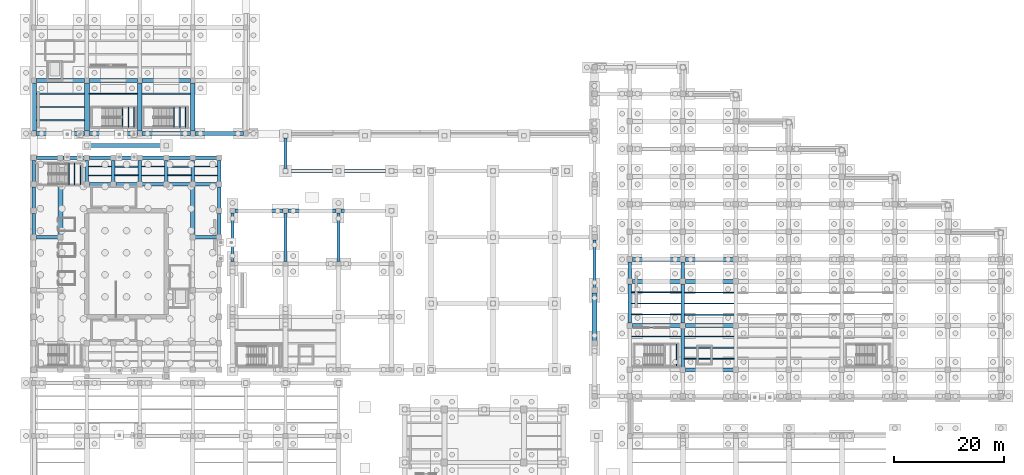
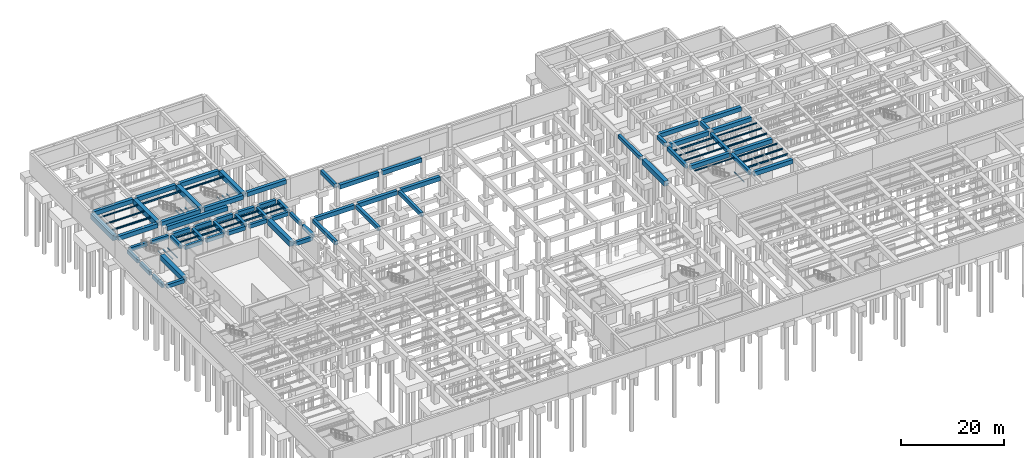
# One storey, part 27 of 56: 97 beams.
"""IFC4 building model written with IfcOpenShell, lengths in metres."""

from ifc_helpers import new_model, si_unit, direction, frame, origin, origin_2d, place, context, subcontext, project, spatial, rectangle, i_section, extrude, material, material_profile, profile_set, type_object, element, save


model = new_model("IFC4")

# Units and contexts
model_context = context("Model", 3, precision=1e-05, world=origin(), true_north=direction((0.0, 1.0)))
body_context = subcontext(model_context, "Body", "Model", "MODEL_VIEW")
ifc_project = project(units=[si_unit("LENGTHUNIT", "METRE"), si_unit("AREAUNIT", "SQUARE_METRE"), si_unit("VOLUMEUNIT", "CUBIC_METRE"), si_unit("PLANEANGLEUNIT", "RADIAN"), si_unit("MASSUNIT", "GRAM", prefix="KILO")], contexts=[model_context])

# Site, building, storey
site_placement = place(None, origin())
site = spatial("IfcSite", under=ifc_project, at=site_placement, CompositionType="ELEMENT")
building_placement = place(site_placement, origin())
building = spatial("IfcBuilding", under=site, at=building_placement, Name="Mavantir Sound Aquarium", CompositionType="ELEMENT")
storey_placement = place(building_placement, frame((0.0, 0.0, -9.60009765625)))
storey = spatial("IfcBuildingStorey", under=building, at=storey_placement, Name="B2", CompositionType="ELEMENT", Elevation=-9.60009765625)

# Beams
ifc_material_1 = material(Name="Concrete C40/50", Category="concrete")
ifc_material_profile_1 = material_profile(ifc_material_1, rectangle(XDim=0.60009765625, YDim=0.89990234375, at=origin_2d()), Name="RC 600X900")
ifc_profile_set_1 = profile_set([ifc_material_profile_1], Name="Concrete C40/50")
beam_type_1 = type_object("IfcBeamType", Name="BM-RC600X900-E", PredefinedType="BEAM", material=ifc_profile_set_1)
beam_1_placement = place(storey_placement, frame((0.449951171875, 79.199951171875, 3.946044921875), z_axis=(1.0, 0.0, 0.0), x_axis=(0.0, 1.0, 0.0)))
element("IfcBeam", 1, at=beam_1_placement, inside=storey, type_object=beam_type_1, Name="B2 primary beam RCB-09 63", PredefinedType="BEAM", context=body_context, shape_type="SweptSolid", body=[
    extrude(rectangle(XDim=0.60009765625, YDim=0.89990234375, at=origin_2d()), origin(), (0.0, 0.0, 1.0), 3.900146484375),
])
for number, where, z_axis, x_axis, name in (
    (2, (5.25, 79.199951171875, 3.946044921875), (1.0, 0.0, 0.0), (0.0, 1.0, 0.0), "B2 primary beam RCB-09 64"),
    (3, (10.050048828125, 79.199951171875, 3.946044921875), (1.0, 0.0, 0.0), (0.0, 1.0, 0.0), "B2 primary beam RCB-09 65"),
    (4, (14.85009765625, 79.199951171875, 3.946044921875), (1.0, 0.0, 0.0), (0.0, 1.0, 0.0), "B2 primary beam RCB-09 66"),
):
    element("IfcBeam", number, at=place(storey_placement, frame(where, z_axis=z_axis, x_axis=x_axis)), inside=storey, type_object=beam_type_1, Name=name, PredefinedType="BEAM", context=body_context, shape_type="SweptSolid", body=[
        extrude(rectangle(XDim=0.60009765625, YDim=0.89990234375, at=origin_2d()), origin(), (0.0, 0.0, 1.0), 3.89990234375),
    ])
for number, where, z_axis, x_axis, name in (
    (5, (19.64990234375, 79.199951171875, 3.946044921875), (1.0, 0.0, 0.0), (0.0, 1.0, 0.0), "B2 primary beam RCB-09 67"),
    (6, (24.449951171875, 79.199951171875, 3.946044921875), (1.0, 0.0, 0.0), (0.0, 1.0, 0.0), "B2 primary beam RCB-09 68"),
):
    element("IfcBeam", number, at=place(storey_placement, frame(where, z_axis=z_axis, x_axis=x_axis)), inside=storey, type_object=beam_type_1, Name=name, PredefinedType="BEAM", context=body_context, shape_type="SweptSolid", body=[
        extrude(rectangle(XDim=0.60009765625, YDim=0.89990234375, at=origin_2d()), origin(), (0.0, 0.0, 1.0), 3.900146484375),
    ])
for number, where, z_axis, x_axis, name in (
    (7, (29.25, 79.199951171875, 3.946044921875), (1.0, 0.0, 0.0), (0.0, 1.0, 0.0), "B2 primary beam RCB-09 69"),
    (8, (0.0, 65.25, 3.946044921875), (0.0, 1.0, 0.0), (-1.0, 0.0, 0.0), "B2 primary girder RCB-09 75"),
    (9, (0.0, 70.050048828125, 3.946044921875), (0.0, 1.0, 0.0), (-1.0, 0.0, 0.0), "B2 primary girder RCB-09 76"),
    (10, (0.0, 74.85009765625, 3.946044921875), (0.0, 1.0, 0.0), (-1.0, 0.0, 0.0), "B2 primary girder RCB-09 77"),
    (11, (33.60009765625, 65.25, 3.946044921875), (0.0, 1.0, 0.0), (-1.0, 0.0, 0.0), "B2 primary girder RCB-09 99"),
    (12, (33.60009765625, 70.050048828125, 3.946044921875), (0.0, 1.0, 0.0), (-1.0, 0.0, 0.0), "B2 primary girder RCB-09 100"),
    (13, (33.60009765625, 74.85009765625, 3.946044921875), (0.0, 1.0, 0.0), (-1.0, 0.0, 0.0), "B2 primary girder RCB-09 101"),
):
    element("IfcBeam", number, at=place(storey_placement, frame(where, z_axis=z_axis, x_axis=x_axis)), inside=storey, type_object=beam_type_1, Name=name, PredefinedType="BEAM", context=body_context, shape_type="SweptSolid", body=[
        extrude(rectangle(XDim=0.60009765625, YDim=0.89990234375, at=origin_2d()), origin(), (0.0, 0.0, 1.0), 3.89990234375),
    ])
beam_2_placement = place(storey_placement, frame((36.0, 60.425048828125, 4.34619140625), z_axis=(0.0, 1.0, 0.0), x_axis=(-1.0, 0.0, 0.0)))
element("IfcBeam", 14, at=beam_2_placement, inside=storey, type_object=beam_type_1, Name="B2 primary girder RCB-09 116", PredefinedType="BEAM", context=body_context, shape_type="SweptSolid", body=[
    extrude(rectangle(XDim=0.60009765625, YDim=0.89990234375, at=origin_2d()), origin(), (0.0, 0.0, 1.0), 8.75),
])
beam_3_placement = place(storey_placement, frame((101.60009765625, 55.64990234375, 4.34619140625), z_axis=(0.0, 1.0, 0.0), x_axis=(-1.0, 0.0, 0.0)))
element("IfcBeam", 15, at=beam_3_placement, inside=storey, type_object=beam_type_1, Name="B2 primary girder RCB-09 239", PredefinedType="BEAM", context=body_context, shape_type="SweptSolid", body=[
    extrude(rectangle(XDim=0.60009765625, YDim=0.89990234375, at=origin_2d()), origin(), (0.0, 0.0, 1.0), 8.7001953125),
])
ifc_material_profile_2 = material_profile(ifc_material_1, rectangle(XDim=0.60009765625, YDim=0.89990234375, at=origin_2d()), Name="RC 600X900")
ifc_profile_set_2 = profile_set([ifc_material_profile_2], Name="Concrete C40/50")
beam_type_2 = type_object("IfcBeamType", Name="BM-RC600X900-I", PredefinedType="BEAM", material=ifc_profile_set_2)
beam_4_placement = place(storey_placement, frame((45.60009765625, 77.22509765625, 4.34619140625), z_axis=(0.0, 1.0, 0.0), x_axis=(-1.0, 0.0, 0.0)))
element("IfcBeam", 16, at=beam_4_placement, inside=storey, type_object=beam_type_2, Name="B2 primary girder RCB-09 24", PredefinedType="BEAM", context=body_context, shape_type="SweptSolid", body=[
    extrude(rectangle(XDim=0.60009765625, YDim=0.89990234375, at=origin_2d()), origin(), (0.0, 0.0, 1.0), 5.5498046875),
])
beam_5_placement = place(storey_placement, frame((0.449951171875, 64.800048828125, 3.946044921875), z_axis=(1.0, 0.0, 0.0), x_axis=(0.0, 1.0, 0.0)))
element("IfcBeam", 17, at=beam_5_placement, inside=storey, type_object=beam_type_2, Name="B2 primary beam RCB-09 56", PredefinedType="BEAM", context=body_context, shape_type="SweptSolid", body=[
    extrude(rectangle(XDim=0.60009765625, YDim=0.89990234375, at=origin_2d()), origin(), (0.0, 0.0, 1.0), 3.900146484375),
])
for number, where, z_axis, x_axis, name in (
    (18, (29.25, 64.800048828125, 3.946044921875), (1.0, 0.0, 0.0), (0.0, 1.0, 0.0), "B2 primary beam RCB-09 57"),
    (19, (10.050048828125, 74.39990234375, 3.946044921875), (1.0, 0.0, 0.0), (0.0, 1.0, 0.0), "B2 primary beam RCB-09 58"),
    (20, (14.85009765625, 74.39990234375, 3.946044921875), (1.0, 0.0, 0.0), (0.0, 1.0, 0.0), "B2 primary beam RCB-09 59"),
):
    element("IfcBeam", number, at=place(storey_placement, frame(where, z_axis=z_axis, x_axis=x_axis)), inside=storey, type_object=beam_type_2, Name=name, PredefinedType="BEAM", context=body_context, shape_type="SweptSolid", body=[
        extrude(rectangle(XDim=0.60009765625, YDim=0.89990234375, at=origin_2d()), origin(), (0.0, 0.0, 1.0), 3.89990234375),
    ])
for number, where, z_axis, x_axis, name in (
    (21, (19.64990234375, 74.39990234375, 3.946044921875), (1.0, 0.0, 0.0), (0.0, 1.0, 0.0), "B2 primary beam RCB-09 60"),
    (22, (24.449951171875, 74.39990234375, 3.946044921875), (1.0, 0.0, 0.0), (0.0, 1.0, 0.0), "B2 primary beam RCB-09 61"),
):
    element("IfcBeam", number, at=place(storey_placement, frame(where, z_axis=z_axis, x_axis=x_axis)), inside=storey, type_object=beam_type_2, Name=name, PredefinedType="BEAM", context=body_context, shape_type="SweptSolid", body=[
        extrude(rectangle(XDim=0.60009765625, YDim=0.89990234375, at=origin_2d()), origin(), (0.0, 0.0, 1.0), 3.900146484375),
    ])
for number, where, z_axis, x_axis, name in (
    (23, (29.25, 74.39990234375, 3.946044921875), (1.0, 0.0, 0.0), (0.0, 1.0, 0.0), "B2 primary beam RCB-09 62"),
    (24, (9.60009765625, 74.85009765625, 3.946044921875), (0.0, 1.0, 0.0), (-1.0, 0.0, 0.0), "B2 primary girder RCB-09 82"),
    (25, (14.39990234375, 74.85009765625, 3.946044921875), (0.0, 1.0, 0.0), (-1.0, 0.0, 0.0), "B2 primary girder RCB-09 84"),
    (26, (19.199951171875, 74.85009765625, 3.946044921875), (0.0, 1.0, 0.0), (-1.0, 0.0, 0.0), "B2 primary girder RCB-09 86"),
    (27, (24.0, 74.85009765625, 3.946044921875), (0.0, 1.0, 0.0), (-1.0, 0.0, 0.0), "B2 primary girder RCB-09 88"),
    (28, (28.800048828125, 74.85009765625, 3.946044921875), (0.0, 1.0, 0.0), (-1.0, 0.0, 0.0), "B2 primary girder RCB-09 93"),
):
    element("IfcBeam", number, at=place(storey_placement, frame(where, z_axis=z_axis, x_axis=x_axis)), inside=storey, type_object=beam_type_2, Name=name, PredefinedType="BEAM", context=body_context, shape_type="SweptSolid", body=[
        extrude(rectangle(XDim=0.60009765625, YDim=0.89990234375, at=origin_2d()), origin(), (0.0, 0.0, 1.0), 3.89990234375),
    ])
for number, where, z_axis, x_axis, name in (
    (29, (45.60009765625, 60.425048828125, 4.34619140625), (0.0, 1.0, 0.0), (-1.0, 0.0, 0.0), "B2 primary girder RCB-09 119"),
    (30, (55.199951171875, 60.425048828125, 4.34619140625), (0.0, 1.0, 0.0), (-1.0, 0.0, 0.0), "B2 primary girder RCB-09 122"),
):
    element("IfcBeam", number, at=place(storey_placement, frame(where, z_axis=z_axis, x_axis=x_axis)), inside=storey, type_object=beam_type_2, Name=name, PredefinedType="BEAM", context=body_context, shape_type="SweptSolid", body=[
        extrude(rectangle(XDim=0.60009765625, YDim=0.89990234375, at=origin_2d()), origin(), (0.0, 0.0, 1.0), 8.75),
    ])
beam_6_placement = place(storey_placement, frame((108.0, 49.25, 4.046142578125), z_axis=(0.0, 1.0, 0.0), x_axis=(-1.0, 0.0, 0.0)))
element("IfcBeam", 31, at=beam_6_placement, inside=storey, type_object=beam_type_2, Name="B2 primary girder RCB-09 246", PredefinedType="BEAM", context=body_context, shape_type="SweptSolid", body=[
    extrude(rectangle(XDim=0.60009765625, YDim=0.89990234375, at=origin_2d()), origin(), (0.0, 0.0, 1.0), 7.10009765625),
])
beam_7_placement = place(storey_placement, frame((108.0, 57.25, 4.34619140625), z_axis=(0.0, 1.0, 0.0), x_axis=(-1.0, 0.0, 0.0)))
element("IfcBeam", 32, at=beam_7_placement, inside=storey, type_object=beam_type_2, Name="B2 primary girder RCB-09 247", PredefinedType="BEAM", context=body_context, shape_type="SweptSolid", body=[
    extrude(rectangle(XDim=0.60009765625, YDim=0.89990234375, at=origin_2d()), origin(), (0.0, 0.0, 1.0), 3.10009765625),
])
for number, where, z_axis, x_axis, name in (
    (33, (117.60009765625, 41.25, 4.046142578125), (0.0, 1.0, 0.0), (-1.0, 0.0, 0.0), "B2 primary girder RCB-09 256"),
    (34, (117.60009765625, 49.25, 4.046142578125), (0.0, 1.0, 0.0), (-1.0, 0.0, 0.0), "B2 primary girder RCB-09 257"),
):
    element("IfcBeam", number, at=place(storey_placement, frame(where, z_axis=z_axis, x_axis=x_axis)), inside=storey, type_object=beam_type_2, Name=name, PredefinedType="BEAM", context=body_context, shape_type="SweptSolid", body=[
        extrude(rectangle(XDim=0.60009765625, YDim=0.89990234375, at=origin_2d()), origin(), (0.0, 0.0, 1.0), 7.10009765625),
    ])
beam_8_placement = place(storey_placement, frame((117.60009765625, 57.25, 4.34619140625), z_axis=(0.0, 1.0, 0.0), x_axis=(-1.0, 0.0, 0.0)))
element("IfcBeam", 35, at=beam_8_placement, inside=storey, type_object=beam_type_2, Name="B2 primary girder RCB-09 258", PredefinedType="BEAM", context=body_context, shape_type="SweptSolid", body=[
    extrude(rectangle(XDim=0.60009765625, YDim=0.89990234375, at=origin_2d()), origin(), (0.0, 0.0, 1.0), 3.10009765625),
])
ifc_material_profile_3 = material_profile(ifc_material_1, rectangle(XDim=0.699951171875, YDim=1.0, at=origin_2d()), Name="RC 700X1000")
ifc_profile_set_3 = profile_set([ifc_material_profile_3], Name="Concrete C40/50")
beam_type_3 = type_object("IfcBeamType", Name="BM-RC700X1000-E", PredefinedType="BEAM", material=ifc_profile_set_3)
for number, where, z_axis, x_axis, name in (
    (36, (36.425048828125, 69.60009765625, 4.296142578125), (1.0, 0.0, 0.0), (0.0, 1.0, 0.0), "B2 primary beam RCB-10 111"),
    (37, (46.02490234375, 69.60009765625, 4.296142578125), (1.0, 0.0, 0.0), (0.0, 1.0, 0.0), "B2 primary beam RCB-10 112"),
    (38, (55.625, 69.60009765625, 4.296142578125), (1.0, 0.0, 0.0), (0.0, 1.0, 0.0), "B2 primary beam RCB-10 113"),
    (39, (0.425048828125, 83.60009765625, 3.99609375), (1.0, 0.0, 0.0), (0.0, 1.0, 0.0), "B2 primary beam RCB-10 311"),
    (40, (10.02490234375, 83.60009765625, 3.99609375), (1.0, 0.0, 0.0), (0.0, 1.0, 0.0), "B2 primary beam RCB-10 312"),
    (41, (19.625, 83.60009765625, 3.99609375), (1.0, 0.0, 0.0), (0.0, 1.0, 0.0), "B2 primary beam RCB-10 313"),
    (42, (29.22509765625, 83.60009765625, 4.296142578125), (1.0, 0.0, 0.0), (0.0, 1.0, 0.0), "B2 primary beam RCB-10 314"),
):
    element("IfcBeam", number, at=place(storey_placement, frame(where, z_axis=z_axis, x_axis=x_axis)), inside=storey, type_object=beam_type_3, Name=name, PredefinedType="BEAM", context=body_context, shape_type="SweptSolid", body=[
        extrude(rectangle(XDim=0.699951171875, YDim=1.0, at=origin_2d()), origin(), (0.0, 0.0, 1.0), 8.75),
    ])
ifc_material_profile_4 = material_profile(ifc_material_1, rectangle(XDim=0.699951171875, YDim=1.0, at=origin_2d()), Name="RC 700X1000")
ifc_profile_set_4 = profile_set([ifc_material_profile_4], Name="Concrete C40/50")
beam_type_4 = type_object("IfcBeamType", Name="BM-RC700X1000-I", PredefinedType="BEAM", material=ifc_profile_set_4)
for number, where, z_axis, x_axis, name in (
    (43, (46.02490234375, 76.800048828125, 4.296142578125), (1.0, 0.0, 0.0), (0.0, 1.0, 0.0), "B2 primary beam RCB-10 15"),
    (44, (55.625, 76.800048828125, 4.296142578125), (1.0, 0.0, 0.0), (0.0, 1.0, 0.0), "B2 primary beam RCB-10 16"),
):
    element("IfcBeam", number, at=place(storey_placement, frame(where, z_axis=z_axis, x_axis=x_axis)), inside=storey, type_object=beam_type_4, Name=name, PredefinedType="BEAM", context=body_context, shape_type="SweptSolid", body=[
        extrude(rectangle(XDim=0.699951171875, YDim=1.0, at=origin_2d()), origin(), (0.0, 0.0, 1.0), 8.75),
    ])
beam_9_placement = place(storey_placement, frame((10.02490234375, 81.39990234375, 4.296142578125), z_axis=(1.0, 0.0, 0.0), x_axis=(0.0, 1.0, 0.0)))
element("IfcBeam", 45, at=beam_9_placement, inside=storey, type_object=beam_type_4, Name="B2 primary beam RCB-10 20", PredefinedType="BEAM", context=body_context, shape_type="SweptSolid", body=[
    extrude(rectangle(XDim=0.699951171875, YDim=1.0, at=origin_2d()), origin(), (0.0, 0.0, 1.0), 13.550048828125),
])
for number, where, z_axis, x_axis, name in (
    (46, (118.050048828125, 40.800048828125, 3.99609375), (1.0, 0.0, 0.0), (0.0, 1.0, 0.0), "B2 primary beam RCB-10 186"),
    (47, (108.449951171875, 48.800048828125, 3.99609375), (1.0, 0.0, 0.0), (0.0, 1.0, 0.0), "B2 primary beam RCB-10 192"),
    (48, (118.050048828125, 48.800048828125, 3.99609375), (1.0, 0.0, 0.0), (0.0, 1.0, 0.0), "B2 primary beam RCB-10 193"),
    (49, (108.449951171875, 56.800048828125, 4.296142578125), (1.0, 0.0, 0.0), (0.0, 1.0, 0.0), "B2 primary beam RCB-10 199"),
    (50, (118.050048828125, 56.800048828125, 4.296142578125), (1.0, 0.0, 0.0), (0.0, 1.0, 0.0), "B2 primary beam RCB-10 200"),
    (51, (108.449951171875, 60.800048828125, 4.296142578125), (1.0, 0.0, 0.0), (0.0, 1.0, 0.0), "B2 primary beam RCB-10 206"),
    (52, (118.050048828125, 60.800048828125, 4.296142578125), (1.0, 0.0, 0.0), (0.0, 1.0, 0.0), "B2 primary beam RCB-10 207"),
):
    element("IfcBeam", number, at=place(storey_placement, frame(where, z_axis=z_axis, x_axis=x_axis)), inside=storey, type_object=beam_type_4, Name=name, PredefinedType="BEAM", context=body_context, shape_type="SweptSolid", body=[
        extrude(rectangle(XDim=0.699951171875, YDim=1.0, at=origin_2d()), origin(), (0.0, 0.0, 1.0), 8.699951171875),
    ])
for number, where, z_axis, x_axis, name in (
    (53, (0.425048828125, 93.199951171875, 3.99609375), (1.0, 0.0, 0.0), (0.0, 1.0, 0.0), "B2 primary beam RCB-10 315"),
    (54, (10.02490234375, 93.199951171875, 3.99609375), (1.0, 0.0, 0.0), (0.0, 1.0, 0.0), "B2 primary beam RCB-10 316"),
    (55, (19.625, 93.199951171875, 3.99609375), (1.0, 0.0, 0.0), (0.0, 1.0, 0.0), "B2 primary beam RCB-10 317"),
):
    element("IfcBeam", number, at=place(storey_placement, frame(where, z_axis=z_axis, x_axis=x_axis)), inside=storey, type_object=beam_type_4, Name=name, PredefinedType="BEAM", context=body_context, shape_type="SweptSolid", body=[
        extrude(rectangle(XDim=0.699951171875, YDim=1.0, at=origin_2d()), origin(), (0.0, 0.0, 1.0), 8.75),
    ])
ifc_material_profile_5 = material_profile(ifc_material_1, rectangle(XDim=0.89990234375, YDim=1.199951171875, at=origin_2d()), Name="RC 900X1200")
ifc_profile_set_5 = profile_set([ifc_material_profile_5], Name="Concrete C40/50")
beam_type_5 = type_object("IfcBeamType", Name="BM-RC900X1200-E", PredefinedType="BEAM", material=ifc_profile_set_5)
beam_10_placement = place(storey_placement, frame((101.60009765625, 46.050048828125, 4.196044921875), z_axis=(0.0, 1.0, 0.0), x_axis=(-1.0, 0.0, 0.0)))
element("IfcBeam", 56, at=beam_10_placement, inside=storey, type_object=beam_type_5, Name="B2 primary girder RCB-12 238", PredefinedType="BEAM", context=body_context, shape_type="SweptSolid", body=[
    extrude(rectangle(XDim=0.89990234375, YDim=1.199951171875, at=origin_2d()), origin(), (0.0, 0.0, 1.0), 8.699951171875),
])
beam_11_placement = place(storey_placement, frame((0.0, 84.02490234375, 3.89599609375), z_axis=(0.0, 1.0, 0.0), x_axis=(-1.0, 0.0, 0.0)))
element("IfcBeam", 57, at=beam_11_placement, inside=storey, type_object=beam_type_5, Name="B2 primary girder RCB-12 331", PredefinedType="BEAM", context=body_context, shape_type="SweptSolid", body=[
    extrude(rectangle(XDim=0.89990234375, YDim=1.199951171875, at=origin_2d()), origin(), (0.0, 0.0, 1.0), 8.75),
])
ifc_material_profile_6 = material_profile(ifc_material_1, rectangle(XDim=0.89990234375, YDim=1.199951171875, at=origin_2d()), Name="RC 900X1200")
ifc_profile_set_6 = profile_set([ifc_material_profile_6], Name="Concrete C40/50")
beam_type_6 = type_object("IfcBeamType", Name="BM-RC900X1200-I", PredefinedType="BEAM", material=ifc_profile_set_6)
for number, where, z_axis, x_axis, name in (
    (58, (4.800048828125, 65.25, 3.796142578125), (0.0, 1.0, 0.0), (-1.0, 0.0, 0.0), "B2 primary girder RCB-12 80"),
    (59, (28.800048828125, 65.25, 3.796142578125), (0.0, 1.0, 0.0), (-1.0, 0.0, 0.0), "B2 primary girder RCB-12 92"),
):
    element("IfcBeam", number, at=place(storey_placement, frame(where, z_axis=z_axis, x_axis=x_axis)), inside=storey, type_object=beam_type_6, Name=name, PredefinedType="BEAM", context=body_context, shape_type="SweptSolid", body=[
        extrude(rectangle(XDim=0.89990234375, YDim=1.199951171875, at=origin_2d()), origin(), (0.0, 0.0, 1.0), 8.699951171875),
    ])
for number, where, z_axis, x_axis, name in (
    (60, (9.60009765625, 84.02490234375, 3.89599609375), (0.0, 1.0, 0.0), (-1.0, 0.0, 0.0), "B2 primary girder RCB-12 335"),
    (61, (19.199951171875, 84.02490234375, 3.89599609375), (0.0, 1.0, 0.0), (-1.0, 0.0, 0.0), "B2 primary girder RCB-12 339"),
    (62, (28.800048828125, 84.02490234375, 3.89599609375), (0.0, 1.0, 0.0), (-1.0, 0.0, 0.0), "B2 primary girder RCB-12 343"),
):
    element("IfcBeam", number, at=place(storey_placement, frame(where, z_axis=z_axis, x_axis=x_axis)), inside=storey, type_object=beam_type_6, Name=name, PredefinedType="BEAM", context=body_context, shape_type="SweptSolid", body=[
        extrude(rectangle(XDim=0.89990234375, YDim=1.199951171875, at=origin_2d()), origin(), (0.0, 0.0, 1.0), 8.75),
    ])
ifc_material_2 = material(Name="Structural Steel ASTM A992 Gr50", Category="steel")
ifc_material_profile_7 = material_profile(ifc_material_2, i_section(OverallWidth=0.202880859375, OverallDepth=0.202880859375, WebThickness=0.007080078125, FlangeThickness=0.010986328125, FilletRadius=0.010009765625, at=origin_2d()), Name="W200X46")
ifc_profile_set_7 = profile_set([ifc_material_profile_7], Name="Structural Steel ASTM A992 Gr50")
beam_type_7 = type_object("IfcBeamType", Name="BM-W200X46-I", PredefinedType="LINTEL", material=ifc_profile_set_7)
for number, where, z_axis, x_axis, name in (
    (63, (6.35009765625, 74.27490234375, 2.095703125), (0.0, 1.0, 0.0), (-1.0, 0.0, 0.0), "Stair ST2 landing support beam 16"),
    (64, (7.389892578125, 74.27490234375, 2.095703125), (0.0, 1.0, 0.0), (-1.0, 0.0, 0.0), "Stair ST2 landing support beam 17"),
    (65, (8.429931640625, 74.27490234375, 2.095703125), (0.0, 1.0, 0.0), (-1.0, 0.0, 0.0), "Stair ST2 landing support beam 18"),
    (66, (116.429931640625, 41.47509765625, 2.095703125), (0.0, 1.0, 0.0), (-1.0, 0.0, 0.0), "Stair ST4 landing support beam 54"),
):
    element("IfcBeam", number, at=place(storey_placement, frame(where, z_axis=z_axis, x_axis=x_axis)), inside=storey, type_object=beam_type_7, Name=name, PredefinedType="LINTEL", context=body_context, shape_type="SweptSolid", body=[
        extrude(i_section(OverallWidth=0.202880859375, OverallDepth=0.202880859375, WebThickness=0.007080078125, FlangeThickness=0.010986328125, FilletRadius=0.010009765625, at=origin_2d()), origin(), (0.0, 0.0, 1.0), 4.0),
    ])
for number, where, z_axis, x_axis, name in (
    (67, (16.10009765625, 84.675048828125, 2.095703125), (0.0, 1.0, 0.0), (-1.0, 0.0, 0.0), "Stair ST5 landing support beam 82"),
    (68, (17.139892578125, 84.675048828125, 2.095703125), (0.0, 1.0, 0.0), (-1.0, 0.0, 0.0), "Stair ST5 landing support beam 83"),
    (69, (18.179931640625, 84.675048828125, 2.095703125), (0.0, 1.0, 0.0), (-1.0, 0.0, 0.0), "Stair ST5 landing support beam 84"),
    (70, (25.39990234375, 84.675048828125, 2.095703125), (0.0, 1.0, 0.0), (-1.0, 0.0, 0.0), "Stair ST7 landing support beam 103"),
    (71, (26.43994140625, 84.675048828125, 2.095703125), (0.0, 1.0, 0.0), (-1.0, 0.0, 0.0), "Stair ST7 landing support beam 104"),
    (72, (27.47998046875, 84.675048828125, 2.095703125), (0.0, 1.0, 0.0), (-1.0, 0.0, 0.0), "Stair ST7 landing support beam 105"),
):
    element("IfcBeam", number, at=place(storey_placement, frame(where, z_axis=z_axis, x_axis=x_axis)), inside=storey, type_object=beam_type_7, Name=name, PredefinedType="LINTEL", context=body_context, shape_type="SweptSolid", body=[
        extrude(i_section(OverallWidth=0.202880859375, OverallDepth=0.202880859375, WebThickness=0.007080078125, FlangeThickness=0.010986328125, FilletRadius=0.010009765625, at=origin_2d()), origin(), (0.0, 0.0, 1.0), 3.699951171875),
    ])
ifc_material_profile_8 = material_profile(ifc_material_2, i_section(OverallWidth=0.202880859375, OverallDepth=0.251953125, WebThickness=0.008056640625, FlangeThickness=0.013427734375, FilletRadius=0.011962890625, at=origin_2d()), Name="W250X58")
ifc_profile_set_8 = profile_set([ifc_material_profile_8], Name="Structural Steel ASTM A992 Gr50")
beam_type_8 = type_object("IfcBeamType", Name="BM-W250X58-I", PredefinedType="JOIST", material=ifc_profile_set_8)
beam_12_placement = place(storey_placement, frame((9.89990234375, 77.60009765625, 4.27001953125), z_axis=(1.0, 0.0, 0.0), x_axis=(0.0, 1.0, 0.0)))
element("IfcBeam", 73, at=beam_12_placement, inside=storey, type_object=beam_type_8, Name="B2 secondary floor joist SJ-25 12", PredefinedType="JOIST", context=body_context, shape_type="SweptSolid", body=[
    extrude(i_section(OverallWidth=0.202880859375, OverallDepth=0.251953125, WebThickness=0.008056640625, FlangeThickness=0.013427734375, FilletRadius=0.011962890625, at=origin_2d()), origin(), (0.0, 0.0, 1.0), 4.2001953125),
])
for number, where, z_axis, x_axis, name in (
    (74, (19.5, 77.60009765625, 4.27001953125), (1.0, 0.0, 0.0), (0.0, 1.0, 0.0), "B2 secondary floor joist SJ-25 16"),
    (75, (29.10009765625, 77.60009765625, 4.27001953125), (1.0, 0.0, 0.0), (0.0, 1.0, 0.0), "B2 secondary floor joist SJ-25 20"),
):
    element("IfcBeam", number, at=place(storey_placement, frame(where, z_axis=z_axis, x_axis=x_axis)), inside=storey, type_object=beam_type_8, Name=name, PredefinedType="JOIST", context=body_context, shape_type="SweptSolid", body=[
        extrude(i_section(OverallWidth=0.202880859375, OverallDepth=0.251953125, WebThickness=0.008056640625, FlangeThickness=0.013427734375, FilletRadius=0.011962890625, at=origin_2d()), origin(), (0.0, 0.0, 1.0), 4.199951171875),
    ])
for number, where, z_axis, x_axis, name in (
    (76, (108.300048828125, 46.800048828125, 4.3701171875), (1.0, 0.0, 0.0), (0.0, 1.0, 0.0), "B2 secondary floor joist SJ-25 72"),
    (77, (108.300048828125, 52.800048828125, 4.3701171875), (1.0, 0.0, 0.0), (0.0, 1.0, 0.0), "B2 secondary floor joist SJ-25 84"),
    (78, (117.89990234375, 54.800048828125, 4.3701171875), (1.0, 0.0, 0.0), (0.0, 1.0, 0.0), "B2 secondary floor joist SJ-25 88"),
):
    element("IfcBeam", number, at=place(storey_placement, frame(where, z_axis=z_axis, x_axis=x_axis)), inside=storey, type_object=beam_type_8, Name=name, PredefinedType="JOIST", context=body_context, shape_type="SweptSolid", body=[
        extrude(i_section(OverallWidth=0.202880859375, OverallDepth=0.251953125, WebThickness=0.008056640625, FlangeThickness=0.013427734375, FilletRadius=0.011962890625, at=origin_2d()), origin(), (0.0, 0.0, 1.0), 9.0),
    ])
beam_13_placement = place(storey_placement, frame((0.449951171875, 90.800048828125, 4.3701171875), z_axis=(1.0, 0.0, 0.0), x_axis=(0.0, 1.0, 0.0)))
element("IfcBeam", 79, at=beam_13_placement, inside=storey, type_object=beam_type_8, Name="B2 secondary floor joist SJ-25 100", PredefinedType="JOIST", context=body_context, shape_type="SweptSolid", body=[
    extrude(i_section(OverallWidth=0.202880859375, OverallDepth=0.251953125, WebThickness=0.008056640625, FlangeThickness=0.013427734375, FilletRadius=0.011962890625, at=origin_2d()), origin(), (0.0, 0.0, 1.0), 8.699951171875),
])
ifc_material_profile_9 = material_profile(ifc_material_2, i_section(OverallWidth=0.205078125, OverallDepth=0.31005859375, WebThickness=0.009521484375, FlangeThickness=0.016357421875, FilletRadius=0.012939453125, at=origin_2d()), Name="W310X74")
ifc_profile_set_9 = profile_set([ifc_material_profile_9], Name="Structural Steel ASTM A992 Gr50")
beam_type_9 = type_object("IfcBeamType", Name="BM-W310X74-I", PredefinedType="JOIST", material=ifc_profile_set_9)
beam_14_placement = place(storey_placement, frame((9.89990234375, 76.0, 4.2412109375), z_axis=(1.0, 0.0, 0.0), x_axis=(0.0, 1.0, 0.0)))
element("IfcBeam", 80, at=beam_14_placement, inside=storey, type_object=beam_type_9, Name="B2 secondary floor joist SJ-31 11", PredefinedType="JOIST", context=body_context, shape_type="SweptSolid", body=[
    extrude(i_section(OverallWidth=0.205078125, OverallDepth=0.31005859375, WebThickness=0.009521484375, FlangeThickness=0.016357421875, FilletRadius=0.012939453125, at=origin_2d()), origin(), (0.0, 0.0, 1.0), 4.2001953125),
])
for number, where, z_axis, x_axis, name in (
    (81, (19.5, 76.0, 4.2412109375), (1.0, 0.0, 0.0), (0.0, 1.0, 0.0), "B2 secondary floor joist SJ-31 15"),
    (82, (29.10009765625, 76.0, 4.2412109375), (1.0, 0.0, 0.0), (0.0, 1.0, 0.0), "B2 secondary floor joist SJ-31 19"),
):
    element("IfcBeam", number, at=place(storey_placement, frame(where, z_axis=z_axis, x_axis=x_axis)), inside=storey, type_object=beam_type_9, Name=name, PredefinedType="JOIST", context=body_context, shape_type="SweptSolid", body=[
        extrude(i_section(OverallWidth=0.205078125, OverallDepth=0.31005859375, WebThickness=0.009521484375, FlangeThickness=0.016357421875, FilletRadius=0.012939453125, at=origin_2d()), origin(), (0.0, 0.0, 1.0), 4.199951171875),
    ])
for number, where, z_axis, x_axis, name in (
    (83, (117.89990234375, 46.800048828125, 4.341064453125), (1.0, 0.0, 0.0), (0.0, 1.0, 0.0), "B2 secondary floor joist SJ-31 75"),
    (84, (108.300048828125, 50.800048828125, 4.341064453125), (1.0, 0.0, 0.0), (0.0, 1.0, 0.0), "B2 secondary floor joist SJ-31 83"),
    (85, (117.89990234375, 52.800048828125, 4.341064453125), (1.0, 0.0, 0.0), (0.0, 1.0, 0.0), "B2 secondary floor joist SJ-31 87"),
):
    element("IfcBeam", number, at=place(storey_placement, frame(where, z_axis=z_axis, x_axis=x_axis)), inside=storey, type_object=beam_type_9, Name=name, PredefinedType="JOIST", context=body_context, shape_type="SweptSolid", body=[
        extrude(i_section(OverallWidth=0.205078125, OverallDepth=0.31005859375, WebThickness=0.009521484375, FlangeThickness=0.016357421875, FilletRadius=0.012939453125, at=origin_2d()), origin(), (0.0, 0.0, 1.0), 9.0),
    ])
beam_15_placement = place(storey_placement, frame((0.449951171875, 88.39990234375, 4.341064453125), z_axis=(1.0, 0.0, 0.0), x_axis=(0.0, 1.0, 0.0)))
element("IfcBeam", 86, at=beam_15_placement, inside=storey, type_object=beam_type_9, Name="B2 secondary floor joist SJ-31 99", PredefinedType="JOIST", context=body_context, shape_type="SweptSolid", body=[
    extrude(i_section(OverallWidth=0.205078125, OverallDepth=0.31005859375, WebThickness=0.009521484375, FlangeThickness=0.016357421875, FilletRadius=0.012939453125, at=origin_2d()), origin(), (0.0, 0.0, 1.0), 8.699951171875),
])
ifc_material_profile_10 = material_profile(ifc_material_2, i_section(OverallWidth=0.25390625, OverallDepth=0.35302734375, WebThickness=0.009521484375, FlangeThickness=0.016357421875, FilletRadius=0.014892578125, at=origin_2d()), Name="W360X91")
ifc_profile_set_10 = profile_set([ifc_material_profile_10], Name="Structural Steel ASTM A992 Gr50")
beam_type_10 = type_object("IfcBeamType", Name="BM-W360X91-I", PredefinedType="JOIST", material=ifc_profile_set_10)
for number, where, z_axis, x_axis, name in (
    (87, (14.699951171875, 77.60009765625, 4.219482421875), (1.0, 0.0, 0.0), (0.0, 1.0, 0.0), "B2 secondary floor joist SJ-36 14"),
    (88, (24.300048828125, 77.60009765625, 4.219482421875), (1.0, 0.0, 0.0), (0.0, 1.0, 0.0), "B2 secondary floor joist SJ-36 18"),
):
    element("IfcBeam", number, at=place(storey_placement, frame(where, z_axis=z_axis, x_axis=x_axis)), inside=storey, type_object=beam_type_10, Name=name, PredefinedType="JOIST", context=body_context, shape_type="SweptSolid", body=[
        extrude(i_section(OverallWidth=0.25390625, OverallDepth=0.35302734375, WebThickness=0.009521484375, FlangeThickness=0.016357421875, FilletRadius=0.014892578125, at=origin_2d()), origin(), (0.0, 0.0, 1.0), 4.199951171875),
    ])
for number, where, z_axis, x_axis, name in (
    (89, (117.89990234375, 44.800048828125, 4.319580078125), (1.0, 0.0, 0.0), (0.0, 1.0, 0.0), "B2 secondary floor joist SJ-36 74"),
    (90, (117.89990234375, 50.800048828125, 4.319580078125), (1.0, 0.0, 0.0), (0.0, 1.0, 0.0), "B2 secondary floor joist SJ-36 86"),
):
    element("IfcBeam", number, at=place(storey_placement, frame(where, z_axis=z_axis, x_axis=x_axis)), inside=storey, type_object=beam_type_10, Name=name, PredefinedType="JOIST", context=body_context, shape_type="SweptSolid", body=[
        extrude(i_section(OverallWidth=0.25390625, OverallDepth=0.35302734375, WebThickness=0.009521484375, FlangeThickness=0.016357421875, FilletRadius=0.014892578125, at=origin_2d()), origin(), (0.0, 0.0, 1.0), 9.0),
    ])
beam_16_placement = place(storey_placement, frame((0.449951171875, 86.0, 4.319580078125), z_axis=(1.0, 0.0, 0.0), x_axis=(0.0, 1.0, 0.0)))
element("IfcBeam", 91, at=beam_16_placement, inside=storey, type_object=beam_type_10, Name="B2 secondary floor joist SJ-36 98", PredefinedType="JOIST", context=body_context, shape_type="SweptSolid", body=[
    extrude(i_section(OverallWidth=0.25390625, OverallDepth=0.35302734375, WebThickness=0.009521484375, FlangeThickness=0.016357421875, FilletRadius=0.014892578125, at=origin_2d()), origin(), (0.0, 0.0, 1.0), 8.699951171875),
])
beam_17_placement = place(storey_placement, frame((19.64990234375, 90.800048828125, 4.319580078125), z_axis=(1.0, 0.0, 0.0), x_axis=(0.0, 1.0, 0.0)))
element("IfcBeam", 92, at=beam_17_placement, inside=storey, type_object=beam_type_10, Name="B2 secondary floor joist SJ-36 102", PredefinedType="JOIST", context=body_context, shape_type="SweptSolid", body=[
    extrude(i_section(OverallWidth=0.25390625, OverallDepth=0.35302734375, WebThickness=0.009521484375, FlangeThickness=0.016357421875, FilletRadius=0.014892578125, at=origin_2d()), origin(), (0.0, 0.0, 1.0), 8.7001953125),
])
ifc_material_profile_11 = material_profile(ifc_material_2, i_section(OverallWidth=0.180908203125, OverallDepth=0.4169921875, WebThickness=0.010986328125, FlangeThickness=0.018310546875, FilletRadius=0.014892578125, at=origin_2d()), Name="W410X85")
ifc_profile_set_11 = profile_set([ifc_material_profile_11], Name="Structural Steel ASTM A992 Gr50")
beam_type_11 = type_object("IfcBeamType", Name="BM-W410X85-I", PredefinedType="JOIST", material=ifc_profile_set_11)
for number, where, z_axis, x_axis, name in (
    (93, (14.699951171875, 76.0, 4.1875), (1.0, 0.0, 0.0), (0.0, 1.0, 0.0), "B2 secondary floor joist SJ-41 13"),
    (94, (24.300048828125, 76.0, 4.1875), (1.0, 0.0, 0.0), (0.0, 1.0, 0.0), "B2 secondary floor joist SJ-41 17"),
):
    element("IfcBeam", number, at=place(storey_placement, frame(where, z_axis=z_axis, x_axis=x_axis)), inside=storey, type_object=beam_type_11, Name=name, PredefinedType="JOIST", context=body_context, shape_type="SweptSolid", body=[
        extrude(i_section(OverallWidth=0.180908203125, OverallDepth=0.4169921875, WebThickness=0.010986328125, FlangeThickness=0.018310546875, FilletRadius=0.014892578125, at=origin_2d()), origin(), (0.0, 0.0, 1.0), 4.199951171875),
    ])
for number, where, z_axis, x_axis, name in (
    (95, (117.89990234375, 42.800048828125, 4.28759765625), (1.0, 0.0, 0.0), (0.0, 1.0, 0.0), "B2 secondary floor joist SJ-41 73"),
    (96, (108.300048828125, 54.800048828125, 4.28759765625), (1.0, 0.0, 0.0), (0.0, 1.0, 0.0), "B2 secondary floor joist SJ-41 85"),
):
    element("IfcBeam", number, at=place(storey_placement, frame(where, z_axis=z_axis, x_axis=x_axis)), inside=storey, type_object=beam_type_11, Name=name, PredefinedType="JOIST", context=body_context, shape_type="SweptSolid", body=[
        extrude(i_section(OverallWidth=0.180908203125, OverallDepth=0.4169921875, WebThickness=0.010986328125, FlangeThickness=0.018310546875, FilletRadius=0.014892578125, at=origin_2d()), origin(), (0.0, 0.0, 1.0), 9.0),
    ])
beam_18_placement = place(storey_placement, frame((10.050048828125, 90.800048828125, 4.28759765625), z_axis=(1.0, 0.0, 0.0), x_axis=(0.0, 1.0, 0.0)))
element("IfcBeam", 97, at=beam_18_placement, inside=storey, type_object=beam_type_11, Name="B2 secondary floor joist SJ-41 101", PredefinedType="JOIST", context=body_context, shape_type="SweptSolid", body=[
    extrude(i_section(OverallWidth=0.180908203125, OverallDepth=0.4169921875, WebThickness=0.010986328125, FlangeThickness=0.018310546875, FilletRadius=0.014892578125, at=origin_2d()), origin(), (0.0, 0.0, 1.0), 8.699951171875),
])

save(model, "model.ifc")
